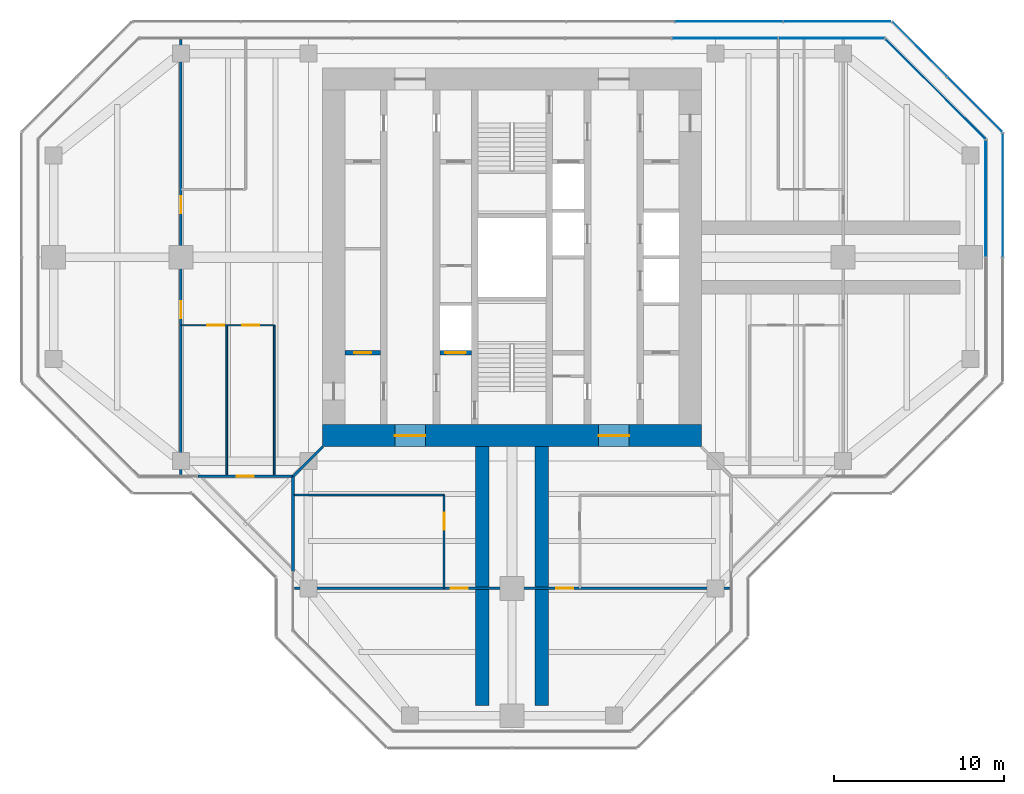
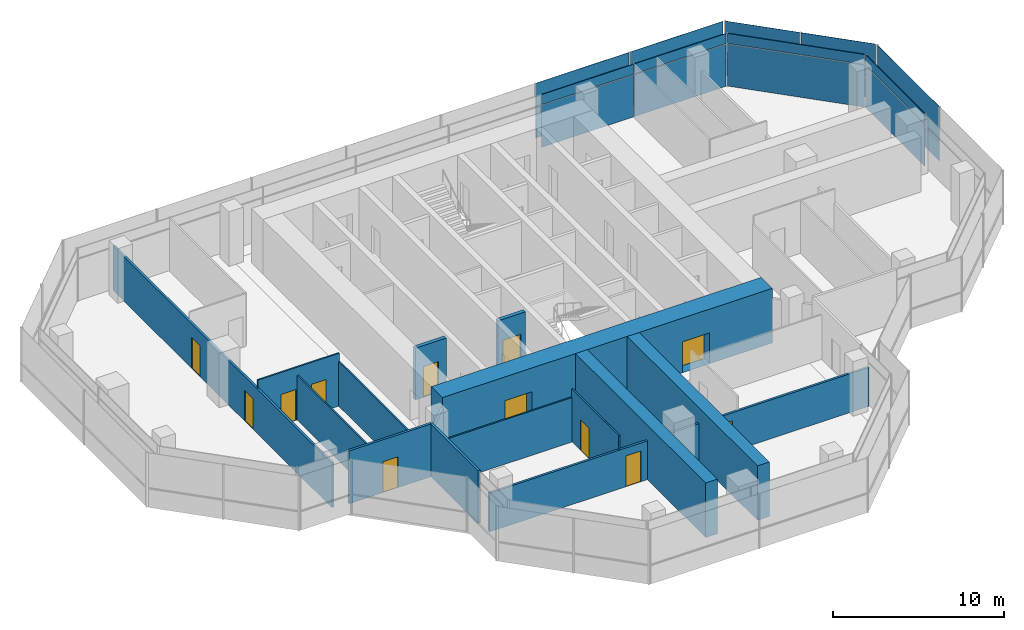
# One storey, part 11 of 16: 18 plates, 15 walls, 12 doors, 12 openings, 6 elements without a shape of their own.
"""IFC4 building model written with IfcOpenShell, lengths in metres."""

import ifcopenshell
import ifcopenshell.guid

model = None  # the IFC model being written
_history = None  # IfcOwnerHistory: only IFC2X3 demands one
_inside = {}  # id of a spatial element -> (the spatial element, [elements in it])
_under = {}  # id of a project, library or spatial element -> (it, [spatial elements below it])
_declared = {}  # id of a project -> (the project, [libraries it declares])
_typed = {}  # id of a type object -> (the type object, [elements of that type])
_made_of = {}  # id of a material, layer set ... -> (it, [elements and type objects made of it])


def new_model(schema):
    """Start an empty IFC model of exactly this schema.

    Asked for "IFC4X3", IfcOpenShell would pick the latest addendum, in which some entities
    have other attributes; the version numbers below select the first issue.
    IFC2X3 requires an IfcOwnerHistory on every rooted entity: one is made here for all.
    """
    global model, _history
    if schema == "IFC4X3":
        model = ifcopenshell.file(schema_version=(4, 3, 0, 0))
    else:
        model = ifcopenshell.file(schema=schema)
    _inside.clear()
    _under.clear()
    _declared.clear()
    _typed.clear()
    _made_of.clear()
    _history = None
    if model.schema == "IFC2X3":
        org = make("IfcOrganization", Name="unknown")
        user = make(
            "IfcPersonAndOrganization",
            ThePerson=make("IfcPerson", FamilyName="unknown"),
            TheOrganization=org,
        )
        app = make(
            "IfcApplication",
            ApplicationDeveloper=org,
            Version="unknown",
            ApplicationFullName="unknown",
            ApplicationIdentifier="unknown",
        )
        _history = make(
            "IfcOwnerHistory",
            OwningUser=user,
            OwningApplication=app,
            ChangeAction="ADDED",
            CreationDate=0,
        )
    return model


def make(cls, **values):
    """One entity of the class cls with the attributes given. An attribute that is None is left unset."""
    return model.create_entity(
        cls, **{name: value for name, value in values.items() if value is not None}
    )


def rooted(cls, **values):
    """An entity with a GlobalId (a new one), such as an element, a storey or a relation."""
    return make(cls, GlobalId=ifcopenshell.guid.new(), OwnerHistory=_history, **values)


def si_unit(unit_type, name, prefix=None):
    """IfcSIUnit, for example si_unit("LENGTHUNIT", "METRE", prefix="MILLI")."""
    return make("IfcSIUnit", UnitType=unit_type, Prefix=prefix, Name=name)


def assignment(units):
    """IfcUnitAssignment: the units of a project."""
    return None if units is None else make("IfcUnitAssignment", Units=units)


def point(xyz):
    """IfcCartesianPoint."""
    return None if xyz is None else make("IfcCartesianPoint", Coordinates=xyz)


def direction(xyz):
    """IfcDirection."""
    return None if xyz is None else make("IfcDirection", DirectionRatios=xyz)


def frame(location, z_axis=None, x_axis=None):
    """IfcAxis2Placement3D, a coordinate frame: its origin and axes. An axis left out is left unset."""
    return make(
        "IfcAxis2Placement3D",
        Location=point(location),
        Axis=direction(z_axis),
        RefDirection=direction(x_axis),
    )


def frame_2d(location, x_axis=None):
    """IfcAxis2Placement2D, a coordinate frame in the plane: its origin and x axis."""
    return make(
        "IfcAxis2Placement2D", Location=point(location), RefDirection=direction(x_axis)
    )


def origin():
    """The frame at (0, 0, 0) with its axes left unset."""
    return frame((0.0, 0.0, 0.0))


def origin_2d():
    """The frame at (0, 0) in the plane with its x axis left unset."""
    return frame_2d((0.0, 0.0))


def place(relative_to, where):
    """IfcLocalPlacement: puts the frame where relative to a parent placement (None: the world)."""
    return make(
        "IfcLocalPlacement", PlacementRelTo=relative_to, RelativePlacement=where
    )


def context(
    kind, dimensions, precision=None, world=None, true_north=None, identifier=None
):
    """IfcGeometricRepresentationContext, for example the 3D "Model" context."""
    return make(
        "IfcGeometricRepresentationContext",
        ContextIdentifier=identifier,
        ContextType=kind,
        CoordinateSpaceDimension=dimensions,
        Precision=precision,
        WorldCoordinateSystem=world,
        TrueNorth=true_north,
    )


def subcontext(parent, identifier, kind, view, scale=None):
    """IfcGeometricRepresentationSubContext, for example "Body" below "Model"."""
    return make(
        "IfcGeometricRepresentationSubContext",
        ContextIdentifier=identifier,
        ContextType=kind,
        ParentContext=parent,
        TargetScale=scale,
        TargetView=view,
    )


def project(units=None, contexts=None):
    """IfcProject with its units and contexts."""
    return rooted(
        "IfcProject",
        Name="project",
        RepresentationContexts=contexts,
        UnitsInContext=assignment(units),
    )


def spatial(cls, under=None, at=None, **own):
    """A site, building, storey or space (cls), placed at a placement, below another one or the project."""
    s = rooted(cls, ObjectPlacement=at, **own)
    if under is not None:
        _under.setdefault(under.id(), (under, []))[1].append(s)
    return s


def profile(cls, at=None, kind="AREA", **sizes):
    """A parametric profile (cls). Its sizes go by their IFC names, for example OverallWidth=200.0."""
    return make(cls, ProfileType=kind, Position=at, **sizes)


def rectangle(**sizes):
    """IfcRectangleProfileDef."""
    return profile("IfcRectangleProfileDef", **sizes)


def extrude(swept, where, along, depth):
    """IfcExtrudedAreaSolid: the profile swept, set in the frame where, extruded along a direction by depth."""
    return make(
        "IfcExtrudedAreaSolid",
        SweptArea=swept,
        Position=where,
        ExtrudedDirection=direction(along),
        Depth=depth,
    )


def shape(context_of_items, identifier, shape_type, items):
    """IfcShapeRepresentation: the items that make up one representation, for example the "Body"."""
    return make(
        "IfcShapeRepresentation",
        ContextOfItems=context_of_items,
        RepresentationIdentifier=identifier,
        RepresentationType=shape_type,
        Items=items,
    )


def material(Name=None, Category=None):
    """IfcMaterial."""
    return make("IfcMaterial", Name=Name, Category=Category)


def layer(
    of_material, thickness, ventilated=None, Name=None, Category=None, Priority=None
):
    """IfcMaterialLayer: one layer of a wall or slab, of a material (None: an air gap)."""
    return make(
        "IfcMaterialLayer",
        Material=of_material,
        LayerThickness=thickness,
        IsVentilated=ventilated,
        Name=Name,
        Category=Category,
        Priority=Priority,
    )


def layer_set(layers, Name=None):
    """IfcMaterialLayerSet."""
    return make("IfcMaterialLayerSet", MaterialLayers=layers, LayerSetName=Name)


def made_of(thing, what):
    """Note that an element or type object is made of a material, layer set ...; save() writes the relation."""
    if what is not None:
        _made_of.setdefault(what.id(), (what, []))[1].append(thing)
    return thing


def type_object(cls, material=None, **own):
    """A type object (cls), such as IfcWallType, which elements share."""
    return made_of(rooted(cls, **own), material)


def element(
    cls,
    number,
    at=None,
    inside=None,
    cuts=None,
    type_object=None,
    material=None,
    context=None,
    identifier="Body",
    shape_type=None,
    held_by="IfcProductDefinitionShape",
    body=None,
    shapes=None,
    **own,
):
    """One element of the class cls, such as IfcWall. Its Tag is "e" and its number.

    at: its placement. inside: the storey or other place that contains it. cuts: it is an
    opening in that element (IfcRelVoidsElement). A single representation is given by context,
    identifier, shape_type and body (its items); several are given by shapes. held_by: the class
    of the entity that holds the representations. save() writes the other relations.
    """
    e = rooted(cls, Tag="e%d" % number, ObjectPlacement=at, **own)
    if body is not None:
        shapes = [shape(context, identifier, shape_type, body)]
    if shapes is not None:
        e.Representation = make(held_by, Representations=shapes)
    if inside is not None:
        _inside.setdefault(inside.id(), (inside, []))[1].append(e)
    if cuts is not None:
        rooted(
            "IfcRelVoidsElement", RelatingBuildingElement=cuts, RelatedOpeningElement=e
        )
    if type_object is not None:
        _typed.setdefault(type_object.id(), (type_object, []))[1].append(e)
    return made_of(e, material)


def fill(opening, filler):
    """IfcRelFillsElement: the door or window that sits in an opening."""
    return rooted(
        "IfcRelFillsElement",
        RelatingOpeningElement=opening,
        RelatedBuildingElement=filler,
    )


def aggregate(whole, parts):
    """IfcRelAggregates: a whole, such as a stair, and the parts it consists of."""
    return rooted("IfcRelAggregates", RelatingObject=whole, RelatedObjects=parts)


def save(model, path):
    """Write the relations noted so far, then the file.

    IfcRelAggregates (storeys below a building ...), IfcRelContainedInSpatialStructure (elements
    in a storey), IfcRelDefinesByType, IfcRelAssociatesMaterial and IfcRelDeclares: one each for
    every whole, place, type object, material and project.
    """
    for whole, parts in _under.values():
        aggregate(whole, parts)
    for where, things in _inside.values():
        rooted(
            "IfcRelContainedInSpatialStructure",
            RelatedElements=things,
            RelatingStructure=where,
        )
    for kind, things in _typed.values():
        rooted("IfcRelDefinesByType", RelatedObjects=things, RelatingType=kind)
    for what, things in _made_of.values():
        rooted("IfcRelAssociatesMaterial", RelatedObjects=things, RelatingMaterial=what)
    for by, libraries in _declared.values():
        rooted("IfcRelDeclares", RelatingContext=by, RelatedDefinitions=libraries)
    model.write(path)


model = new_model("IFC4")

# Units and contexts
model_context = context("Model", 3, precision=1e-05, world=origin(), true_north=direction((0.0, 1.0)))
body_context = subcontext(model_context, "Body", "Model", "MODEL_VIEW")
ifc_project = project(units=[si_unit("LENGTHUNIT", "METRE"), si_unit("AREAUNIT", "SQUARE_METRE"), si_unit("VOLUMEUNIT", "CUBIC_METRE"), si_unit("PLANEANGLEUNIT", "RADIAN"), si_unit("MASSUNIT", "GRAM", prefix="KILO")], contexts=[model_context])

# Site, building, storey
site_placement = place(None, origin())
site = spatial("IfcSite", under=ifc_project, at=site_placement, CompositionType="ELEMENT")
building_placement = place(site_placement, origin())
building = spatial("IfcBuilding", under=site, at=building_placement, Name="Mizan Broadcast Tower", CompositionType="ELEMENT")
storey_placement = place(building_placement, frame((0.0, 0.0, 290.699951171875)))
storey = spatial("IfcBuildingStorey", under=building, at=storey_placement, Name="L69", CompositionType="ELEMENT", Elevation=290.699951171875)

# Curtain wall, plate
ifc_material_1 = material(Name="Aluminium framed glazing", Category="aluminium")
curtain_wall_type_1 = type_object("IfcCurtainWallType", Name="INNER SKIN TOP ZONE", PredefinedType="USERDEFINED", material=ifc_material_1)
curtain_wall_1_placement = place(storey_placement, origin())
curtain_wall_1 = element("IfcCurtainWall", 1, at=curtain_wall_1_placement, inside=storey, type_object=curtain_wall_type_1, Name="Inner skin top zone L69 E end", ObjectType="INNER SKIN TOP ZONE", PredefinedType="USERDEFINED")
ifc_material_2 = material(Name="Double glazing, clear low-e", Category="glass")
ifc_layer_1 = layer(ifc_material_2, 0.028076171875)
ifc_layer_set_1 = layer_set([ifc_layer_1], Name="Double glazing, clear low-e")
plate_type_1 = type_object("IfcPlateType", Name="INNER SKIN GLAZING UNIT", PredefinedType="CURTAIN_PANEL", material=ifc_layer_set_1)
plate_1_placement = place(storey_placement, frame((27.89990234375, 3.46435546875, 0.0), z_axis=(0.0, 0.0, 1.0), x_axis=(0.0, 1.0, 0.0)))
plate_1 = element("IfcPlate", 2, at=plate_1_placement, type_object=plate_type_1, Name="Inner skin top zone L69 E end panel 2.1", PredefinedType="CURTAIN_PANEL", context=body_context, shape_type="SweptSolid", body=[
    extrude(rectangle(XDim=6.86865234375, YDim=0.028076171875, at=origin_2d()), origin(), (0.0, 0.0, 1.0), 3.0),
])

curtain_wall_2_placement = place(storey_placement, origin())
curtain_wall_2 = element("IfcCurtainWall", 3, at=curtain_wall_2_placement, inside=storey, type_object=curtain_wall_type_1, Name="Inner skin top zone L69 E chamfer", ObjectType="INNER SKIN TOP ZONE", PredefinedType="USERDEFINED")
plate_2_placement = place(storey_placement, frame((24.92919921875, 9.92919921875, 0.0), z_axis=(0.0, 0.0, 1.0), x_axis=(-0.707106781187, 0.707106781187, 0.0)))
plate_2 = element("IfcPlate", 4, at=plate_2_placement, type_object=plate_type_1, Name="Inner skin top zone L69 E chamfer panel 1.1", PredefinedType="CURTAIN_PANEL", context=body_context, shape_type="SweptSolid", body=[
    extrude(rectangle(XDim=8.282470703125, YDim=0.028076171875, at=origin_2d()), origin(), (0.0, 0.0, 1.0), 3.0),
])

# Curtain wall, plates
curtain_wall_3_placement = place(storey_placement, origin())
curtain_wall_3 = element("IfcCurtainWall", 5, at=curtain_wall_3_placement, inside=storey, type_object=curtain_wall_type_1, Name="Inner skin top zone L69 N end", ObjectType="INNER SKIN TOP ZONE", PredefinedType="USERDEFINED")
plate_3_placement = place(storey_placement, frame((18.806640625, 12.89990234375, 0.0), z_axis=(0.0, 0.0, 1.0), x_axis=(-1.0, 0.0, 0.0)))
plate_3 = element("IfcPlate", 6, at=plate_3_placement, type_object=plate_type_1, Name="Inner skin top zone L69 N end panel 1.1", PredefinedType="CURTAIN_PANEL", context=body_context, shape_type="SweptSolid", body=[
    extrude(rectangle(XDim=6.183837890625, YDim=0.028076171875, at=origin_2d()), origin(), (0.0, 0.0, 1.0), 3.0),
])
plate_4_placement = place(storey_placement, frame((12.5478515625, 12.89990234375, 0.0), z_axis=(0.0, 0.0, 1.0), x_axis=(-1.0, 0.0, 0.0)))
plate_4 = element("IfcPlate", 7, at=plate_4_placement, type_object=plate_type_1, Name="Inner skin top zone L69 N end panel 2.1", PredefinedType="CURTAIN_PANEL", context=body_context, shape_type="SweptSolid", body=[
    extrude(rectangle(XDim=6.2138671875, YDim=0.028076171875, at=origin_2d()), origin(), (0.0, 0.0, 1.0), 3.0),
])

# Plate
ifc_material_3 = material(Name="Insulated aluminium spandrel panel, pale anodised", Category="aluminium")
ifc_layer_2 = layer(ifc_material_3, 0.050048828125)
ifc_layer_set_2 = layer_set([ifc_layer_2], Name="Insulated aluminium spandrel panel, pale anodised")
plate_type_2 = type_object("IfcPlateType", Name="INNER SKIN SPANDREL PANEL", PredefinedType="CURTAIN_PANEL", material=ifc_layer_set_2)
plate_5_placement = place(storey_placement, frame((27.89990234375, 3.46435546875, 3.06005859375), z_axis=(0.0, 0.0, 1.0), x_axis=(0.0, 1.0, 0.0)))
plate_5 = element("IfcPlate", 8, at=plate_5_placement, type_object=plate_type_2, Name="Inner skin top zone L69 E end panel 2.2", PredefinedType="CURTAIN_PANEL", context=body_context, shape_type="SweptSolid", body=[
    extrude(rectangle(XDim=6.86865234375, YDim=0.050048828125, at=origin_2d()), origin(), (0.0, 0.0, 1.0), 0.7099609375),
])

aggregate(curtain_wall_1, [plate_1, plate_5])

plate_6_placement = place(storey_placement, frame((24.92919921875, 9.92919921875, 3.06005859375), z_axis=(0.0, 0.0, 1.0), x_axis=(-0.707106781187, 0.707106781187, 0.0)))
plate_6 = element("IfcPlate", 9, at=plate_6_placement, type_object=plate_type_2, Name="Inner skin top zone L69 E chamfer panel 1.2", PredefinedType="CURTAIN_PANEL", context=body_context, shape_type="SweptSolid", body=[
    extrude(rectangle(XDim=8.282470703125, YDim=0.050048828125, at=origin_2d()), origin(), (0.0, 0.0, 1.0), 0.7099609375),
])

aggregate(curtain_wall_2, [plate_2, plate_6])

plate_7_placement = place(storey_placement, frame((18.806640625, 12.89990234375, 3.06005859375), z_axis=(0.0, 0.0, 1.0), x_axis=(-1.0, 0.0, 0.0)))
plate_7 = element("IfcPlate", 10, at=plate_7_placement, type_object=plate_type_2, Name="Inner skin top zone L69 N end panel 1.2", PredefinedType="CURTAIN_PANEL", context=body_context, shape_type="SweptSolid", body=[
    extrude(rectangle(XDim=6.183837890625, YDim=0.050048828125, at=origin_2d()), origin(), (0.0, 0.0, 1.0), 0.7099609375),
])

plate_8_placement = place(storey_placement, frame((12.5478515625, 12.89990234375, 3.06005859375), z_axis=(0.0, 0.0, 1.0), x_axis=(-1.0, 0.0, 0.0)))
plate_8 = element("IfcPlate", 11, at=plate_8_placement, type_object=plate_type_2, Name="Inner skin top zone L69 N end panel 2.2", PredefinedType="CURTAIN_PANEL", context=body_context, shape_type="SweptSolid", body=[
    extrude(rectangle(XDim=6.2138671875, YDim=0.050048828125, at=origin_2d()), origin(), (0.0, 0.0, 1.0), 0.7099609375),
])

aggregate(curtain_wall_3, [plate_3, plate_7, plate_4, plate_8])

# Curtain wall, plates
ifc_material_4 = material(Name="Aluminium framed glazing", Category="aluminium")
curtain_wall_type_2 = type_object("IfcCurtainWallType", Name="OUTER SKIN", PredefinedType="USERDEFINED", material=ifc_material_4)
curtain_wall_4_placement = place(storey_placement, origin())
curtain_wall_4 = element("IfcCurtainWall", 12, at=curtain_wall_4_placement, inside=storey, type_object=curtain_wall_type_2, Name="Outer skin L69 E chamfer", ObjectType="OUTER SKIN", PredefinedType="USERDEFINED")
ifc_material_5 = material(Name="Laminated clear glass", Category="glass")
ifc_layer_3 = layer(ifc_material_5, 0.02001953125)
ifc_layer_set_3 = layer_set([ifc_layer_3], Name="Laminated clear glass")
plate_type_3 = type_object("IfcPlateType", Name="OUTER SKIN CLEAR GLASS", PredefinedType="CURTAIN_PANEL", material=ifc_layer_set_3)
plate_9_placement = place(storey_placement, frame((27.254150390625, 9.018798828125, 0.0), z_axis=(0.0, 0.0, 1.0), x_axis=(-0.707106781187, 0.707106781187, 0.0)))
plate_9 = element("IfcPlate", 13, at=plate_9_placement, type_object=plate_type_3, Name="Outer skin L69 E chamfer panel 1.1", PredefinedType="CURTAIN_PANEL", context=body_context, shape_type="SweptSolid", body=[
    extrude(rectangle(XDim=4.495361328125, YDim=0.02001953125, at=origin_2d()), origin(), (0.0, 0.0, 1.0), 1.3701171875),
])
plate_10_placement = place(storey_placement, frame((27.254150390625, 9.018798828125, 1.43017578125), z_axis=(0.0, 0.0, 1.0), x_axis=(-0.707106781187, 0.707106781187, 0.0)))
plate_10 = element("IfcPlate", 14, at=plate_10_placement, type_object=plate_type_3, Name="Outer skin L69 E chamfer panel 1.2", PredefinedType="CURTAIN_PANEL", context=body_context, shape_type="SweptSolid", body=[
    extrude(rectangle(XDim=4.495361328125, YDim=0.02001953125, at=origin_2d()), origin(), (0.0, 0.0, 1.0), 2.469970703125),
])

curtain_wall_5_placement = place(storey_placement, origin())
curtain_wall_5 = element("IfcCurtainWall", 15, at=curtain_wall_5_placement, inside=storey, type_object=curtain_wall_type_2, Name="Outer skin L69 N end", ObjectType="OUTER SKIN", PredefinedType="USERDEFINED")
plate_11_placement = place(storey_placement, frame((19.15673828125, 13.89990234375, 0.0), z_axis=(0.0, 0.0, 1.0), x_axis=(-1.0, 0.0, 0.0)))
plate_11 = element("IfcPlate", 16, at=plate_11_placement, type_object=plate_type_3, Name="Outer skin L69 N end panel 1.1", PredefinedType="CURTAIN_PANEL", context=body_context, shape_type="SweptSolid", body=[
    extrude(rectangle(XDim=6.272216796875, YDim=0.02001953125, at=origin_2d()), origin(), (0.0, 0.0, 1.0), 1.3701171875),
])
plate_12_placement = place(storey_placement, frame((19.15673828125, 13.89990234375, 1.43017578125), z_axis=(0.0, 0.0, 1.0), x_axis=(-1.0, 0.0, 0.0)))
plate_12 = element("IfcPlate", 17, at=plate_12_placement, type_object=plate_type_3, Name="Outer skin L69 N end panel 1.2", PredefinedType="CURTAIN_PANEL", context=body_context, shape_type="SweptSolid", body=[
    extrude(rectangle(XDim=6.272216796875, YDim=0.02001953125, at=origin_2d()), origin(), (0.0, 0.0, 1.0), 2.469970703125),
])
plate_13_placement = place(storey_placement, frame((12.784423828125, 13.89990234375, 0.0), z_axis=(0.0, 0.0, 1.0), x_axis=(-1.0, 0.0, 0.0)))
plate_13 = element("IfcPlate", 18, at=plate_13_placement, type_object=plate_type_3, Name="Outer skin L69 N end panel 2.1", PredefinedType="CURTAIN_PANEL", context=body_context, shape_type="SweptSolid", body=[
    extrude(rectangle(XDim=6.312255859375, YDim=0.02001953125, at=origin_2d()), origin(), (0.0, 0.0, 1.0), 1.3701171875),
])
plate_14_placement = place(storey_placement, frame((12.784423828125, 13.89990234375, 1.43017578125), z_axis=(0.0, 0.0, 1.0), x_axis=(-1.0, 0.0, 0.0)))
plate_14 = element("IfcPlate", 19, at=plate_14_placement, type_object=plate_type_3, Name="Outer skin L69 N end panel 2.2", PredefinedType="CURTAIN_PANEL", context=body_context, shape_type="SweptSolid", body=[
    extrude(rectangle(XDim=6.312255859375, YDim=0.02001953125, at=origin_2d()), origin(), (0.0, 0.0, 1.0), 2.469970703125),
])
aggregate(curtain_wall_5, [plate_11, plate_12, plate_13, plate_14])

curtain_wall_6_placement = place(storey_placement, origin())
curtain_wall_6 = element("IfcCurtainWall", 20, at=curtain_wall_6_placement, inside=storey, type_object=curtain_wall_type_2, Name="Outer skin L69 E end", ObjectType="OUTER SKIN", PredefinedType="USERDEFINED")
ifc_material_6 = material(Name="Perforated aluminium, pale anodised", Category="aluminium")
ifc_layer_4 = layer(ifc_material_6, 0.011962890625)
ifc_layer_set_4 = layer_set([ifc_layer_4], Name="Perforated aluminium, pale anodised")
plate_type_4 = type_object("IfcPlateType", Name="OUTER SKIN PERFORATED SCREEN", PredefinedType="USERDEFINED", material=ifc_layer_set_4)
plate_15_placement = place(storey_placement, frame((28.89990234375, 3.66650390625, 0.0), z_axis=(0.0, 0.0, 1.0), x_axis=(0.0, 1.0, 0.0)))
plate_15 = element("IfcPlate", 21, at=plate_15_placement, type_object=plate_type_4, Name="Outer skin L69 E end panel 2.1", ObjectType="SCREEN", PredefinedType="USERDEFINED", context=body_context, shape_type="SweptSolid", body=[
    extrude(rectangle(XDim=7.252685546875, YDim=0.011962890625, at=origin_2d()), origin(), (0.0, 0.0, 1.0), 1.3701171875),
])
plate_16_placement = place(storey_placement, frame((28.89990234375, 3.66650390625, 1.43017578125), z_axis=(0.0, 0.0, 1.0), x_axis=(0.0, 1.0, 0.0)))
plate_16 = element("IfcPlate", 22, at=plate_16_placement, type_object=plate_type_4, Name="Outer skin L69 E end panel 2.2", ObjectType="SCREEN", PredefinedType="USERDEFINED", context=body_context, shape_type="SweptSolid", body=[
    extrude(rectangle(XDim=7.252685546875, YDim=0.011962890625, at=origin_2d()), origin(), (0.0, 0.0, 1.0), 2.469970703125),
])
aggregate(curtain_wall_6, [plate_15, plate_16])

# Plate
plate_17_placement = place(storey_placement, frame((24.018798828125, 12.254150390625, 0.0), z_axis=(0.0, 0.0, 1.0), x_axis=(-0.707106781187, 0.707106781187, 0.0)))
plate_17 = element("IfcPlate", 23, at=plate_17_placement, type_object=plate_type_4, Name="Outer skin L69 E chamfer panel 2.1", ObjectType="SCREEN", PredefinedType="USERDEFINED", context=body_context, shape_type="SweptSolid", body=[
    extrude(rectangle(XDim=4.495361328125, YDim=0.011962890625, at=origin_2d()), origin(), (0.0, 0.0, 1.0), 1.3701171875),
])

plate_18_placement = place(storey_placement, frame((24.018798828125, 12.254150390625, 1.43017578125), z_axis=(0.0, 0.0, 1.0), x_axis=(-0.707106781187, 0.707106781187, 0.0)))
plate_18 = element("IfcPlate", 24, at=plate_18_placement, type_object=plate_type_4, Name="Outer skin L69 E chamfer panel 2.2", ObjectType="SCREEN", PredefinedType="USERDEFINED", context=body_context, shape_type="SweptSolid", body=[
    extrude(rectangle(XDim=4.495361328125, YDim=0.011962890625, at=origin_2d()), origin(), (0.0, 0.0, 1.0), 2.469970703125),
])

aggregate(curtain_wall_4, [plate_9, plate_10, plate_17, plate_18])

# Wall, openings, doors
ifc_material_7 = material(Name="Concrete C70/85", Category="concrete")
ifc_layer_5 = layer(ifc_material_7, 1.300048828125)
ifc_layer_set_5 = layer_set([ifc_layer_5], Name="Concrete C70/85")
wall_type_1 = type_object("IfcWallType", Name="CORE WALL 1300", PredefinedType="SHEAR", material=ifc_layer_set_5)
wall_1_placement = place(storey_placement, frame((11.14990234375, -10.5, 0.0), z_axis=(0.0, 0.0, 1.0), x_axis=(-1.0, 0.0, 0.0)))
wall_1 = element("IfcWall", 25, at=wall_1_placement, inside=storey, type_object=wall_type_1, Name="Core wall S L69", PredefinedType="SHEAR", context=body_context, shape_type="SweptSolid", body=[
    extrude(rectangle(XDim=22.2998046875, YDim=1.300048828125, at=frame_2d((11.14990234375, 0.0))), origin(), (0.0, 0.0, 1.0), 3.900146484375),
])
opening_1_placement = place(wall_1_placement, frame((16.25, 0.0, 0.0)))
opening_1 = element("IfcOpeningElement", 26, at=opening_1_placement, cuts=wall_1, Name="Opening D18F", PredefinedType="OPENING", context=body_context, shape_type="SweptSolid", body=[
    extrude(rectangle(XDim=1.800048828125, YDim=2.199951171875, at=frame_2d((0.89990234375, 1.10009765625))), frame((0.0, 0.659912109375, 0.0), z_axis=(0.0, -1.0, 0.0), x_axis=(1.0, 0.0, 0.0)), (0.0, 0.0, 1.0), 1.320068359375),
])
opening_2_placement = place(wall_1_placement, frame((4.25, 0.0, 0.0)))
opening_2 = element("IfcOpeningElement", 27, at=opening_2_placement, cuts=wall_1, Name="Opening D18F", PredefinedType="OPENING", context=body_context, shape_type="SweptSolid", body=[
    extrude(rectangle(XDim=1.800048828125, YDim=2.199951171875, at=frame_2d((0.89990234375, 1.10009765625))), frame((0.0, 0.659912109375, 0.0), z_axis=(0.0, -1.0, 0.0), x_axis=(1.0, 0.0, 0.0)), (0.0, 0.0, 1.0), 1.320068359375),
])
ifc_material_8 = material(Name="Steel door leaf in steel frame", Category="steel")
door_type_1 = type_object("IfcDoorType", Name="LOBBY DOUBLE DOOR 1800 FD90", OperationType="DOUBLE_DOOR_DOUBLE_SWING", PredefinedType="DOOR", material=ifc_material_8)
door_1_placement = place(opening_1_placement, origin())
door_1 = element("IfcDoor", 28, at=door_1_placement, inside=storey, type_object=door_type_1, Name="West lift lobby south door", OperationType="DOUBLE_DOOR_DOUBLE_SWING", OverallHeight=2.199951171875, OverallWidth=1.800048828125, PredefinedType="DOOR", context=body_context, shape_type="SweptSolid", body=[
    extrude(rectangle(XDim=1.800048828125, YDim=2.199951171875, at=frame_2d((0.89990234375, 1.10009765625))), frame((0.0, 0.02490234375, 0.0), z_axis=(0.0, -1.0, 0.0), x_axis=(1.0, 0.0, 0.0)), (0.0, 0.0, 1.0), 0.050048828125),
])
fill(opening_1, door_1)
door_2_placement = place(opening_2_placement, origin())
door_2 = element("IfcDoor", 29, at=door_2_placement, inside=storey, type_object=door_type_1, Name="East lift lobby south door", OperationType="DOUBLE_DOOR_DOUBLE_SWING", OverallHeight=2.199951171875, OverallWidth=1.800048828125, PredefinedType="DOOR", context=body_context, shape_type="SweptSolid", body=[
    extrude(rectangle(XDim=1.800048828125, YDim=2.199951171875, at=frame_2d((0.89990234375, 1.10009765625))), frame((0.0, 0.02490234375, 0.0), z_axis=(0.0, -1.0, 0.0), x_axis=(1.0, 0.0, 0.0)), (0.0, 0.0, 1.0), 0.050048828125),
])
fill(opening_2, door_2)

# Wall, opening, door
ifc_material_9 = material(Name="Aluminium framed glazed screen", Category="aluminium")
ifc_layer_6 = layer(ifc_material_9, 0.159912109375)
ifc_layer_set_6 = layer_set([ifc_layer_6], Name="Aluminium framed glazed screen")
wall_type_2 = type_object("IfcWallType", Name="GLAZED SCREEN WALL 160", PredefinedType="SOLIDWALL", material=ifc_layer_set_6)
wall_2_placement = place(storey_placement, frame((-18.5, -12.89990234375, 0.0), z_axis=(0.0, 0.0, 1.0), x_axis=(1.0, 0.0, 0.0)))
wall_2 = element("IfcWall", 30, at=wall_2_placement, inside=storey, type_object=wall_type_2, Name="Winter garden screen L69 W", PredefinedType="SOLIDWALL", context=body_context, shape_type="SweptSolid", body=[
    extrude(rectangle(XDim=5.60009765625, YDim=0.159912109375, at=frame_2d((2.800048828125, 0.0))), origin(), (0.0, 0.0, 1.0), 3.77001953125),
])
opening_3_placement = place(wall_2_placement, frame((2.300048828125, 0.0, 0.0)))
opening_3 = element("IfcOpeningElement", 31, at=opening_3_placement, cuts=wall_2, Name="Opening WGD", PredefinedType="OPENING", context=body_context, shape_type="SweptSolid", body=[
    extrude(rectangle(XDim=1.0, YDim=2.199951171875, at=frame_2d((0.5, 1.10009765625))), frame((0.0, 0.08984375, 0.0), z_axis=(0.0, -1.0, 0.0), x_axis=(1.0, 0.0, 0.0)), (0.0, 0.0, 1.0), 0.179931640625),
])
ifc_material_10 = material(Name="Aluminium framed glazed door", Category="aluminium")
door_type_2 = type_object("IfcDoorType", Name="WINTER GARDEN DOOR 1000 GLAZED", OperationType="SINGLE_SWING_LEFT", PredefinedType="DOOR", material=ifc_material_10)
door_3_placement = place(opening_3_placement, origin())
door_3 = element("IfcDoor", 32, at=door_3_placement, inside=storey, type_object=door_type_2, Name="Winter garden door L69 W", OperationType="SINGLE_SWING_RIGHT", OverallHeight=2.199951171875, OverallWidth=1.0, PredefinedType="DOOR", context=body_context, shape_type="SweptSolid", body=[
    extrude(rectangle(XDim=1.0, YDim=2.199951171875, at=frame_2d((0.5, 1.10009765625))), frame((0.0, 0.02490234375, 0.0), z_axis=(0.0, -1.0, 0.0), x_axis=(1.0, 0.0, 0.0)), (0.0, 0.0, 1.0), 0.050048828125),
])
fill(opening_3, door_3)

# Wall
wall_3_placement = place(storey_placement, frame((-12.89990234375, -12.89990234375, 0.0), z_axis=(0.0, 0.0, 1.0), x_axis=(0.0, -1.0, 0.0)))
element("IfcWall", 33, at=wall_3_placement, inside=storey, type_object=wall_type_2, Name="Winter garden screen L69 S", PredefinedType="SOLIDWALL", context=body_context, shape_type="SweptSolid", body=[
    extrude(rectangle(XDim=5.60009765625, YDim=0.159912109375, at=frame_2d((2.800048828125, 0.0))), origin(), (0.0, 0.0, 1.0), 3.77001953125),
])

# Wall, opening, door
ifc_material_11 = material(Name="Concrete blockwork", Category="masonry")
ifc_layer_7 = layer(ifc_material_11, 0.25)
ifc_layer_set_7 = layer_set([ifc_layer_7], Name="Concrete blockwork")
wall_type_3 = type_object("IfcWallType", Name="LOBBY ENCLOSURE WALL 250", PredefinedType="SOLIDWALL", material=ifc_layer_set_7)
wall_4_placement = place(storey_placement, frame((-9.85009765625, -5.625, 0.0), z_axis=(0.0, 0.0, 1.0), x_axis=(1.0, 0.0, 0.0)))
wall_4 = element("IfcWall", 34, at=wall_4_placement, inside=storey, type_object=wall_type_3, Name="Lobby enclosure wall CORE/BW1S", PredefinedType="SOLIDWALL", context=body_context, shape_type="SweptSolid", body=[
    extrude(rectangle(XDim=2.10009765625, YDim=0.25, at=frame_2d((1.050048828125, 0.0))), origin(), (0.0, 0.0, 1.0), 3.699951171875),
])
opening_4_placement = place(wall_4_placement, frame((0.550048828125, 0.0, 0.0)))
opening_4 = element("IfcOpeningElement", 35, at=opening_4_placement, cuts=wall_4, Name="Opening D10F", PredefinedType="OPENING", context=body_context, shape_type="SweptSolid", body=[
    extrude(rectangle(XDim=1.0, YDim=2.199951171875, at=frame_2d((0.5, 1.10009765625))), frame((0.0, 0.135009765625, 0.0), z_axis=(0.0, -1.0, 0.0), x_axis=(1.0, 0.0, 0.0)), (0.0, 0.0, 1.0), 0.27001953125),
])
ifc_material_12 = material(Name="Steel door leaf in steel frame", Category="steel")
door_type_3 = type_object("IfcDoorType", Name="FIRE DOOR 1000 FD90", OperationType="SINGLE_SWING_LEFT", PredefinedType="DOOR", material=ifc_material_12)
door_4_placement = place(opening_4_placement, origin())
door_4 = element("IfcDoor", 36, at=door_4_placement, inside=storey, type_object=door_type_3, Name="Vending room door", OperationType="SINGLE_SWING_RIGHT", OverallHeight=2.199951171875, OverallWidth=1.0, PredefinedType="DOOR", context=body_context, shape_type="SweptSolid", body=[
    extrude(rectangle(XDim=1.0, YDim=2.199951171875, at=frame_2d((0.5, 1.10009765625))), frame((0.0, 0.02490234375, 0.0), z_axis=(0.0, -1.0, 0.0), x_axis=(1.0, 0.0, 0.0)), (0.0, 0.0, 1.0), 0.050048828125),
])
fill(opening_4, door_4)

wall_5_placement = place(storey_placement, frame((-4.25, -5.625, 0.0), z_axis=(0.0, 0.0, 1.0), x_axis=(1.0, 0.0, 0.0)))
wall_5 = element("IfcWall", 37, at=wall_5_placement, inside=storey, type_object=wall_type_3, Name="Lobby enclosure wall CORE/BW2S", PredefinedType="SOLIDWALL", context=body_context, shape_type="SweptSolid", body=[
    extrude(rectangle(XDim=1.85009765625, YDim=0.25, at=frame_2d((0.925048828125, 0.0))), origin(), (0.0, 0.0, 1.0), 3.699951171875),
])
opening_5_placement = place(wall_5_placement, frame((0.324951171875, 0.0, 0.0)))
opening_5 = element("IfcOpeningElement", 38, at=opening_5_placement, cuts=wall_5, Name="Opening LDF", PredefinedType="OPENING", context=body_context, shape_type="SweptSolid", body=[
    extrude(rectangle(XDim=1.199951171875, YDim=2.199951171875, at=frame_2d((0.60009765625, 1.10009765625))), frame((0.0, 0.135009765625, 0.0), z_axis=(0.0, -1.0, 0.0), x_axis=(1.0, 0.0, 0.0)), (0.0, 0.0, 1.0), 0.27001953125),
])
ifc_material_13 = material(Name="Steel door leaf in steel frame", Category="steel")
door_type_4 = type_object("IfcDoorType", Name="FIREFIGHTING LIFT LANDING DOOR 1200", OperationType="SLIDING_TO_LEFT", PredefinedType="DOOR", material=ifc_material_13)
door_5_placement = place(opening_5_placement, origin())
door_5 = element("IfcDoor", 39, at=door_5_placement, inside=storey, type_object=door_type_4, Name="Landing door FF1", OperationType="SLIDING_TO_LEFT", OverallHeight=2.199951171875, OverallWidth=1.199951171875, PredefinedType="DOOR", context=body_context, shape_type="SweptSolid", body=[
    extrude(rectangle(XDim=1.199951171875, YDim=2.199951171875, at=frame_2d((0.60009765625, 1.10009765625))), frame((0.0, 0.02490234375, 0.0), z_axis=(0.0, -1.0, 0.0), x_axis=(1.0, 0.0, 0.0)), (0.0, 0.0, 1.0), 0.050048828125),
])
fill(opening_5, door_5)

# Wall, openings, doors
ifc_material_14 = material(Name="Gypsum board on steel studs", Category="steel")
ifc_layer_8 = layer(ifc_material_14, 0.14990234375)
ifc_layer_set_8 = layer_set([ifc_layer_8], Name="Gypsum board on steel studs")
wall_type_4 = type_object("IfcWallType", Name="PARTITION 150", PredefinedType="PARTITIONING", material=ifc_layer_set_8)
wall_6_placement = place(storey_placement, frame((-19.5, 12.820068359375, 0.0), z_axis=(0.0, 0.0, 1.0), x_axis=(0.0, -1.0, 0.0)))
wall_6 = element("IfcWall", 40, at=wall_6_placement, inside=storey, type_object=wall_type_4, Name="Partition PT/WX1", PredefinedType="PARTITIONING", context=body_context, shape_type="SweptSolid", body=[
    extrude(rectangle(XDim=25.64013671875, YDim=0.14990234375, at=frame_2d((12.820068359375, 0.0))), origin(), (0.0, 0.0, 1.0), 3.179931640625),
])
opening_6_placement = place(wall_6_placement, frame((15.419921875, 0.0, 0.0)))
opening_6 = element("IfcOpeningElement", 41, at=opening_6_placement, cuts=wall_6, Name="Opening D10", PredefinedType="OPENING", context=body_context, shape_type="SweptSolid", body=[
    extrude(rectangle(XDim=1.0, YDim=2.199951171875, at=frame_2d((0.5, 1.10009765625))), frame((0.0, 0.0849609375, 0.0), z_axis=(0.0, -1.0, 0.0), x_axis=(1.0, 0.0, 0.0)), (0.0, 0.0, 1.0), 0.169921875),
])
opening_7_placement = place(wall_6_placement, frame((9.219970703125, 0.0, 0.0)))
opening_7 = element("IfcOpeningElement", 42, at=opening_7_placement, cuts=wall_6, Name="Opening D10", PredefinedType="OPENING", context=body_context, shape_type="SweptSolid", body=[
    extrude(rectangle(XDim=1.0, YDim=2.199951171875, at=frame_2d((0.5, 1.10009765625))), frame((0.0, 0.0849609375, 0.0), z_axis=(0.0, -1.0, 0.0), x_axis=(1.0, 0.0, 0.0)), (0.0, 0.0, 1.0), 0.169921875),
])
ifc_material_15 = material(Name="Timber door leaf in aluminium frame", Category="wood")
door_type_5 = type_object("IfcDoorType", Name="ROOM DOOR 1000", OperationType="SINGLE_SWING_LEFT", PredefinedType="DOOR", material=ifc_material_15)
door_6_placement = place(opening_6_placement, origin())
door_6 = element("IfcDoor", 43, at=door_6_placement, inside=storey, type_object=door_type_5, Name="Executive assistants' office door", OperationType="SINGLE_SWING_RIGHT", OverallHeight=2.199951171875, OverallWidth=1.0, PredefinedType="DOOR", context=body_context, shape_type="SweptSolid", body=[
    extrude(rectangle(XDim=1.0, YDim=2.199951171875, at=frame_2d((0.5, 1.10009765625))), frame((0.0, 0.02490234375, 0.0), z_axis=(0.0, -1.0, 0.0), x_axis=(1.0, 0.0, 0.0)), (0.0, 0.0, 1.0), 0.050048828125),
])
fill(opening_6, door_6)
door_7_placement = place(opening_7_placement, origin())
door_7 = element("IfcDoor", 44, at=door_7_placement, inside=storey, type_object=door_type_5, Name="Executive assistants' office door", OperationType="SINGLE_SWING_LEFT", OverallHeight=2.199951171875, OverallWidth=1.0, PredefinedType="DOOR", context=body_context, shape_type="SweptSolid", body=[
    extrude(rectangle(XDim=1.0, YDim=2.199951171875, at=frame_2d((0.5, 1.10009765625))), frame((0.0, 0.02490234375, 0.0), z_axis=(0.0, -1.0, 0.0), x_axis=(1.0, 0.0, 0.0)), (0.0, 0.0, 1.0), 0.050048828125),
])
fill(opening_7, door_7)

wall_7_placement = place(storey_placement, frame((-12.820068359375, -19.5, 0.0), z_axis=(0.0, 0.0, 1.0), x_axis=(1.0, 0.0, 0.0)))
wall_7 = element("IfcWall", 45, at=wall_7_placement, inside=storey, type_object=wall_type_4, Name="Partition PT/SX1", PredefinedType="PARTITIONING", context=body_context, shape_type="SweptSolid", body=[
    extrude(rectangle(XDim=25.64013671875, YDim=0.14990234375, at=frame_2d((12.820068359375, 0.0))), origin(), (0.0, 0.0, 1.0), 2.77001953125),
])
opening_8_placement = place(wall_7_placement, frame((15.419921875, 0.0, 0.0)))
opening_8 = element("IfcOpeningElement", 46, at=opening_8_placement, cuts=wall_7, Name="Opening D10", PredefinedType="OPENING", context=body_context, shape_type="SweptSolid", body=[
    extrude(rectangle(XDim=1.0, YDim=2.199951171875, at=frame_2d((0.5, 1.10009765625))), frame((0.0, 0.0849609375, 0.0), z_axis=(0.0, -1.0, 0.0), x_axis=(1.0, 0.0, 0.0)), (0.0, 0.0, 1.0), 0.169921875),
])
opening_9_placement = place(wall_7_placement, frame((9.219970703125, 0.0, 0.0)))
opening_9 = element("IfcOpeningElement", 47, at=opening_9_placement, cuts=wall_7, Name="Opening D10", PredefinedType="OPENING", context=body_context, shape_type="SweptSolid", body=[
    extrude(rectangle(XDim=1.0, YDim=2.199951171875, at=frame_2d((0.5, 1.10009765625))), frame((0.0, 0.0849609375, 0.0), z_axis=(0.0, -1.0, 0.0), x_axis=(1.0, 0.0, 0.0)), (0.0, 0.0, 1.0), 0.169921875),
])
door_8_placement = place(opening_8_placement, origin())
door_8 = element("IfcDoor", 48, at=door_8_placement, inside=storey, type_object=door_type_5, Name="Board office door", OperationType="SINGLE_SWING_RIGHT", OverallHeight=2.199951171875, OverallWidth=1.0, PredefinedType="DOOR", context=body_context, shape_type="SweptSolid", body=[
    extrude(rectangle(XDim=1.0, YDim=2.199951171875, at=frame_2d((0.5, 1.10009765625))), frame((0.0, 0.02490234375, 0.0), z_axis=(0.0, -1.0, 0.0), x_axis=(1.0, 0.0, 0.0)), (0.0, 0.0, 1.0), 0.050048828125),
])
fill(opening_8, door_8)
door_9_placement = place(opening_9_placement, origin())
door_9 = element("IfcDoor", 49, at=door_9_placement, inside=storey, type_object=door_type_5, Name="Board office door", OperationType="SINGLE_SWING_LEFT", OverallHeight=2.199951171875, OverallWidth=1.0, PredefinedType="DOOR", context=body_context, shape_type="SweptSolid", body=[
    extrude(rectangle(XDim=1.0, YDim=2.199951171875, at=frame_2d((0.5, 1.10009765625))), frame((0.0, 0.02490234375, 0.0), z_axis=(0.0, -1.0, 0.0), x_axis=(1.0, 0.0, 0.0)), (0.0, 0.0, 1.0), 0.050048828125),
])
fill(opening_9, door_9)

# Wall
wall_8_placement = place(storey_placement, frame((-11.14990234375, -11.14990234375, 0.0), z_axis=(0.0, 0.0, 1.0), x_axis=(-0.707106781187, -0.707106781187, 0.0)))
element("IfcWall", 50, at=wall_8_placement, inside=storey, type_object=wall_type_4, Name="Partition PT/DGWS", PredefinedType="PARTITIONING", context=body_context, shape_type="SweptSolid", body=[
    extrude(rectangle(XDim=2.460693359375, YDim=0.14990234375, at=frame_2d((1.23046875, 0.0))), origin(), (0.0, 0.0, 1.0), 3.219970703125),
])

# Wall, openings, doors
ifc_material_16 = material(Name="Glazed aluminium partition on aluminium track", Category="aluminium")
ifc_layer_9 = layer(ifc_material_16, 0.10009765625)
ifc_layer_set_9 = layer_set([ifc_layer_9], Name="Glazed aluminium partition on aluminium track")
wall_type_5 = type_object("IfcWallType", Name="PARTITION GLAZED OFFICE FRONT 100", PredefinedType="PARTITIONING", material=ifc_layer_set_9)
wall_9_placement = place(storey_placement, frame((-14.0, -4.0, 0.0), z_axis=(0.0, 0.0, 1.0), x_axis=(-1.0, 0.0, 0.0)))
wall_9 = element("IfcWall", 51, at=wall_9_placement, inside=storey, type_object=wall_type_5, Name="Glazed office front PT/WCP0", PredefinedType="PARTITIONING", context=body_context, shape_type="SweptSolid", body=[
    extrude(rectangle(XDim=5.5, YDim=0.10009765625, at=frame_2d((2.75, 0.0))), origin(), (0.0, 0.0, 1.0), 3.77001953125),
])
opening_10_placement = place(wall_9_placement, frame((0.89990234375, 0.0, 0.0)))
opening_10 = element("IfcOpeningElement", 52, at=opening_10_placement, cuts=wall_9, Name="Opening D10O", PredefinedType="OPENING", context=body_context, shape_type="SweptSolid", body=[
    extrude(rectangle(XDim=1.0, YDim=2.199951171875, at=frame_2d((0.5, 1.10009765625))), frame((0.0, 0.06005859375, 0.0), z_axis=(0.0, -1.0, 0.0), x_axis=(1.0, 0.0, 0.0)), (0.0, 0.0, 1.0), 0.1201171875),
])
opening_11_placement = place(wall_9_placement, frame((2.949951171875, 0.0, 0.0)))
opening_11 = element("IfcOpeningElement", 53, at=opening_11_placement, cuts=wall_9, Name="Opening D10O", PredefinedType="OPENING", context=body_context, shape_type="SweptSolid", body=[
    extrude(rectangle(XDim=1.0, YDim=2.199951171875, at=frame_2d((0.5, 1.10009765625))), frame((0.0, 0.06005859375, 0.0), z_axis=(0.0, -1.0, 0.0), x_axis=(1.0, 0.0, 0.0)), (0.0, 0.0, 1.0), 0.1201171875),
])
ifc_material_17 = material(Name="Timber door leaf in aluminium frame", Category="wood")
door_type_6 = type_object("IfcDoorType", Name="OFFICE DOOR 1000 GLAZED", OperationType="SINGLE_SWING_LEFT", PredefinedType="DOOR", material=ifc_material_17)
door_10_placement = place(opening_10_placement, origin())
door_10 = element("IfcDoor", 54, at=door_10_placement, inside=storey, type_object=door_type_6, Name="Chief of staff's office door", OperationType="SINGLE_SWING_LEFT", OverallHeight=2.199951171875, OverallWidth=1.0, PredefinedType="DOOR", context=body_context, shape_type="SweptSolid", body=[
    extrude(rectangle(XDim=1.0, YDim=2.199951171875, at=frame_2d((0.5, 1.10009765625))), frame((0.0, 0.02490234375, 0.0), z_axis=(0.0, -1.0, 0.0), x_axis=(1.0, 0.0, 0.0)), (0.0, 0.0, 1.0), 0.050048828125),
])
fill(opening_10, door_10)
door_11_placement = place(opening_11_placement, origin())
door_11 = element("IfcDoor", 55, at=door_11_placement, inside=storey, type_object=door_type_6, Name="Executive meeting room door", OperationType="SINGLE_SWING_RIGHT", OverallHeight=2.199951171875, OverallWidth=1.0, PredefinedType="DOOR", context=body_context, shape_type="SweptSolid", body=[
    extrude(rectangle(XDim=1.0, YDim=2.199951171875, at=frame_2d((0.5, 1.10009765625))), frame((0.0, 0.02490234375, 0.0), z_axis=(0.0, -1.0, 0.0), x_axis=(1.0, 0.0, 0.0)), (0.0, 0.0, 1.0), 0.050048828125),
])
fill(opening_11, door_11)

# Walls
for number, where, z_axis, x_axis, name in (
    (56, (-14.0, -4.0, 0.0), (0.0, 0.0, 1.0), (0.0, -1.0, 0.0), "Glazed office front PT/WQP1400"),
    (57, (-16.800048828125, -4.0, 0.0), (0.0, 0.0, 1.0), (0.0, -1.0, 0.0), "Glazed office front PT/WQP1680"),
):
    element("IfcWall", number, at=place(storey_placement, frame(where, z_axis=z_axis, x_axis=x_axis)), inside=storey, type_object=wall_type_5, Name=name, PredefinedType="PARTITIONING", context=body_context, shape_type="SweptSolid", body=[
        extrude(rectangle(XDim=8.820068359375, YDim=0.10009765625, at=frame_2d((4.41015625, 0.0))), origin(), (0.0, 0.0, 1.0), 3.179931640625),
    ])

# Wall, opening, door
wall_10_placement = place(storey_placement, frame((-4.0, -14.0, 0.0), z_axis=(0.0, 0.0, 1.0), x_axis=(0.0, -1.0, 0.0)))
wall_10 = element("IfcWall", 58, at=wall_10_placement, inside=storey, type_object=wall_type_5, Name="Glazed office front PT/SCN0", PredefinedType="PARTITIONING", context=body_context, shape_type="SweptSolid", body=[
    extrude(rectangle(XDim=5.5, YDim=0.10009765625, at=frame_2d((2.75, 0.0))), origin(), (0.0, 0.0, 1.0), 3.77001953125),
])
opening_12_placement = place(wall_10_placement, frame((1.050048828125, 0.0, 0.0)))
opening_12 = element("IfcOpeningElement", 59, at=opening_12_placement, cuts=wall_10, Name="Opening D10O", PredefinedType="OPENING", context=body_context, shape_type="SweptSolid", body=[
    extrude(rectangle(XDim=1.0, YDim=2.199951171875, at=frame_2d((0.5, 1.10009765625))), frame((0.0, 0.06005859375, 0.0), z_axis=(0.0, -1.0, 0.0), x_axis=(1.0, 0.0, 0.0)), (0.0, 0.0, 1.0), 0.1201171875),
])
door_12_placement = place(opening_12_placement, origin())
door_12 = element("IfcDoor", 60, at=door_12_placement, inside=storey, type_object=door_type_6, Name="Board meeting room door", OperationType="SINGLE_SWING_LEFT", OverallHeight=2.199951171875, OverallWidth=1.0, PredefinedType="DOOR", context=body_context, shape_type="SweptSolid", body=[
    extrude(rectangle(XDim=1.0, YDim=2.199951171875, at=frame_2d((0.5, 1.10009765625))), frame((0.0, 0.02490234375, 0.0), z_axis=(0.0, -1.0, 0.0), x_axis=(1.0, 0.0, 0.0)), (0.0, 0.0, 1.0), 0.050048828125),
])
fill(opening_12, door_12)

# Walls
wall_11_placement = place(storey_placement, frame((-4.0, -14.0, 0.0), z_axis=(0.0, 0.0, 1.0), x_axis=(-1.0, 0.0, 0.0)))
element("IfcWall", 61, at=wall_11_placement, inside=storey, type_object=wall_type_5, Name="Glazed office front PT/SQN1400", PredefinedType="PARTITIONING", context=body_context, shape_type="SweptSolid", body=[
    extrude(rectangle(XDim=8.820068359375, YDim=0.10009765625, at=frame_2d((4.41015625, 0.0))), origin(), (0.0, 0.0, 1.0), 3.179931640625),
])
ifc_material_18 = material(Name="Concrete C70/85", Category="concrete")
ifc_layer_10 = layer(ifc_material_18, 0.800048828125)
ifc_layer_set_10 = layer_set([ifc_layer_10], Name="Concrete C70/85")
wall_type_6 = type_object("IfcWallType", Name="SPINE WALL 800", PredefinedType="SHEAR", material=ifc_layer_set_10)
for number, where, z_axis, x_axis, name in (
    (62, (-1.75, -11.14990234375, 0.0), (0.0, 0.0, 1.0), (0.0, -1.0, 0.0), "Spine wall SR L69"),
    (63, (1.75, -11.14990234375, 0.0), (0.0, 0.0, 1.0), (0.0, -1.0, 0.0), "Spine wall SL L69"),
):
    element("IfcWall", number, at=place(storey_placement, frame(where, z_axis=z_axis, x_axis=x_axis)), inside=storey, type_object=wall_type_6, Name=name, PredefinedType="SHEAR", context=body_context, shape_type="SweptSolid", body=[
        extrude(rectangle(XDim=15.25, YDim=0.800048828125, at=frame_2d((7.625, 0.0))), origin(), (0.0, 0.0, 1.0), 3.900146484375),
    ])

save(model, "model.ifc")
